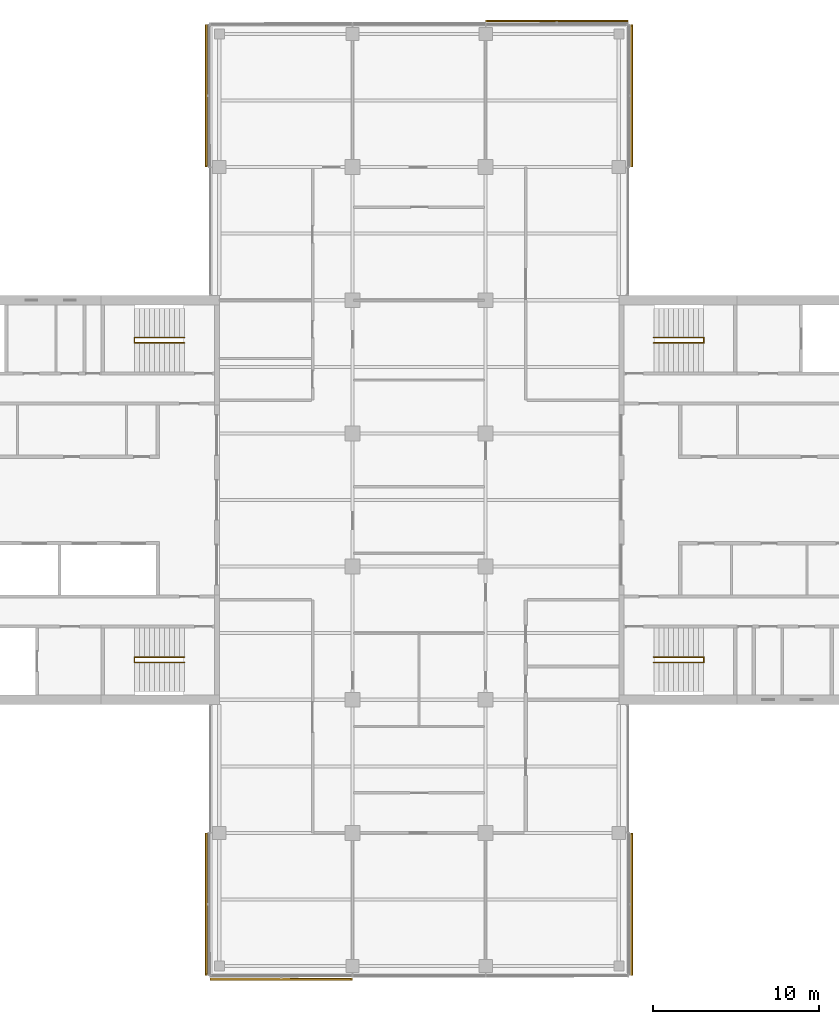
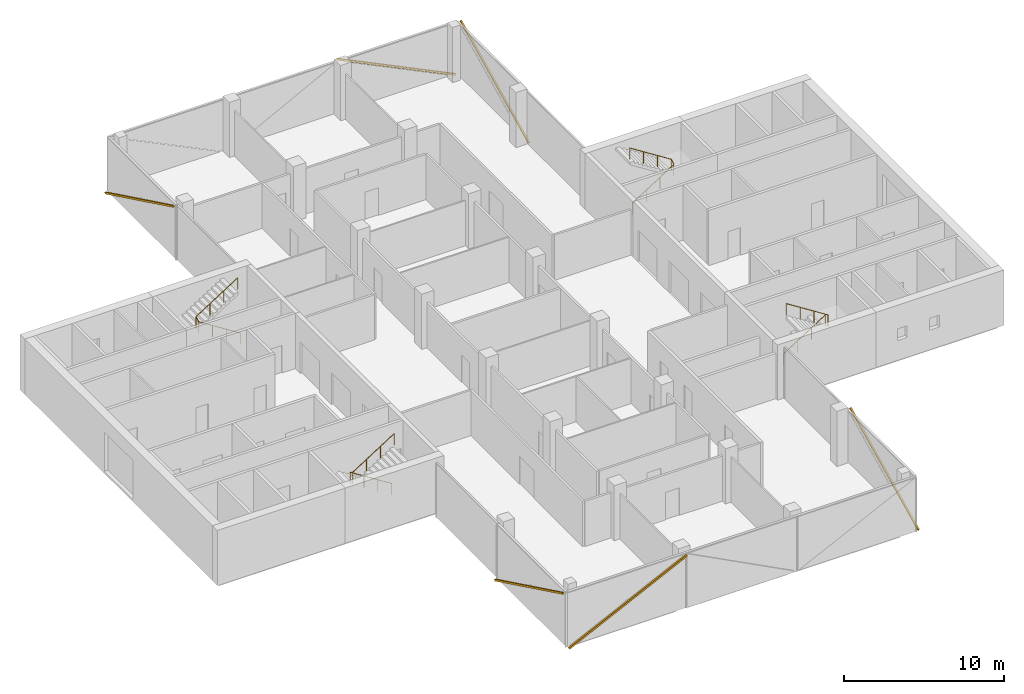
# One storey, part 15 of 15: 6 shading devices, 4 railings, 6 elements without a shape of their own.
"""IFC4 building model written with IfcOpenShell, lengths in metres."""

from ifc_helpers import new_model, si_unit, direction, frame, origin, origin_2d, place, context, subcontext, project, spatial, rectangle, circle, extrude, material, material_profile, profile_set, type_object, element, aggregate, save


model = new_model("IFC4")

# Units and contexts
model_context = context("Model", 3, precision=1e-05, world=origin(), true_north=direction((0.0, 1.0)))
body_context = subcontext(model_context, "Body", "Model", "MODEL_VIEW")
ifc_project = project(units=[si_unit("LENGTHUNIT", "METRE"), si_unit("AREAUNIT", "SQUARE_METRE"), si_unit("VOLUMEUNIT", "CUBIC_METRE"), si_unit("PLANEANGLEUNIT", "RADIAN"), si_unit("MASSUNIT", "GRAM", prefix="KILO")], contexts=[model_context])

# Site, building, storey
site_placement = place(None, origin())
site = spatial("IfcSite", under=ifc_project, at=site_placement, CompositionType="ELEMENT")
building_placement = place(site_placement, origin())
building = spatial("IfcBuilding", under=site, at=building_placement, Name="Crosswind Convention Tower", CompositionType="ELEMENT")
storey_placement = place(building_placement, frame((0.0, 0.0, 183.10009765625)))
storey = spatial("IfcBuildingStorey", under=building, at=storey_placement, Name="L38", CompositionType="ELEMENT", Elevation=183.10009765625)

# Railings
ifc_material_1 = material(Name="Stainless steel", Category="steel")
railing_type = type_object("IfcRailingType", Name="Stair handrail 900", PredefinedType="HANDRAIL", material=ifc_material_1)
railing_1_placement = place(storey_placement, frame((139.10009765625, 109.43994140625, 0.19091796875)))
element("IfcRailing", 1, at=railing_1_placement, inside=storey, type_object=railing_type, Name="Stair ST1 handrail L38", PredefinedType="HANDRAIL", context=body_context, shape_type="SweptSolid", body=[
    extrude(circle(Radius=0.02392578125, at=origin_2d()), frame((0.0, 0.0, 0.8759765625), z_axis=(0.843681277094, 0.0, 0.536844393359), x_axis=(0.0, 1.0, 0.0)), (0.0, 0.0, 1.0), 3.555908203125),
    extrude(circle(Radius=0.02392578125, at=origin_2d()), frame((3.0, 0.0, 2.78466796875), z_axis=(0.0, 0.858819504967, 0.512278301208), x_axis=(-1.0, 0.0, 0.0)), (0.0, 0.0, 1.0), 0.372802734375),
    extrude(circle(Radius=0.02392578125, at=origin_2d()), frame((3.0, 0.320068359375, 2.9755859375), z_axis=(-0.843650179428, 0.0, 0.536893261973), x_axis=(0.0, -1.0, 0.0)), (0.0, 0.0, 1.0), 3.555908203125),
    extrude(circle(Radius=0.02099609375, at=origin_2d()), origin(), (0.0, 0.0, 1.0), 0.851806640625),
    extrude(circle(Radius=0.02099609375, at=origin_2d()), frame((1.0, 0.0, 0.63623046875)), (0.0, 0.0, 1.0), 0.851806640625),
    extrude(circle(Radius=0.02099609375, at=origin_2d()), frame((2.0, 0.0, 1.272705078125)), (0.0, 0.0, 1.0), 0.851806640625),
    extrude(circle(Radius=0.02099609375, at=origin_2d()), frame((3.0, 0.0, 1.908935546875)), (0.0, 0.0, 1.0), 0.851806640625),
    extrude(circle(Radius=0.02099609375, at=origin_2d()), frame((3.0, 0.320068359375, 2.099853515625)), (0.0, 0.0, 1.0), 0.851806640625),
    extrude(circle(Radius=0.02099609375, at=origin_2d()), frame((2.0, 0.320068359375, 2.736328125)), (0.0, 0.0, 1.0), 0.851806640625),
    extrude(circle(Radius=0.02099609375, at=origin_2d()), frame((1.0, 0.320068359375, 3.37255859375)), (0.0, 0.0, 1.0), 0.851806640625),
    extrude(circle(Radius=0.02099609375, at=origin_2d()), frame((0.0, 0.320068359375, 4.009033203125)), (0.0, 0.0, 1.0), 0.851806640625),
])
railing_2_placement = place(storey_placement, frame((139.10009765625, 90.56005859375, 0.19091796875)))
element("IfcRailing", 2, at=railing_2_placement, inside=storey, type_object=railing_type, Name="Stair ST2 handrail L38", PredefinedType="HANDRAIL", context=body_context, shape_type="SweptSolid", body=[
    extrude(circle(Radius=0.02392578125, at=origin_2d()), frame((0.0, 0.0, 0.8759765625), z_axis=(0.843681277094, 0.0, 0.536844393359), x_axis=(0.0, 1.0, 0.0)), (0.0, 0.0, 1.0), 3.555908203125),
    extrude(circle(Radius=0.02392578125, at=origin_2d()), frame((3.0, 0.0, 2.78466796875), z_axis=(0.0, -0.858819504967, 0.512278301208), x_axis=(1.0, 0.0, 0.0)), (0.0, 0.0, 1.0), 0.372802734375),
    extrude(circle(Radius=0.02392578125, at=origin_2d()), frame((3.0, -0.320068359375, 2.9755859375), z_axis=(-0.843650179428, 0.0, 0.536893261973), x_axis=(0.0, -1.0, 0.0)), (0.0, 0.0, 1.0), 3.555908203125),
    extrude(circle(Radius=0.02099609375, at=origin_2d()), origin(), (0.0, 0.0, 1.0), 0.851806640625),
    extrude(circle(Radius=0.02099609375, at=origin_2d()), frame((1.0, 0.0, 0.63623046875)), (0.0, 0.0, 1.0), 0.851806640625),
    extrude(circle(Radius=0.02099609375, at=origin_2d()), frame((2.0, 0.0, 1.272705078125)), (0.0, 0.0, 1.0), 0.851806640625),
    extrude(circle(Radius=0.02099609375, at=origin_2d()), frame((3.0, 0.0, 1.908935546875)), (0.0, 0.0, 1.0), 0.851806640625),
    extrude(circle(Radius=0.02099609375, at=origin_2d()), frame((3.0, -0.320068359375, 2.099853515625)), (0.0, 0.0, 1.0), 0.851806640625),
    extrude(circle(Radius=0.02099609375, at=origin_2d()), frame((2.0, -0.320068359375, 2.736328125)), (0.0, 0.0, 1.0), 0.851806640625),
    extrude(circle(Radius=0.02099609375, at=origin_2d()), frame((1.0, -0.320068359375, 3.37255859375)), (0.0, 0.0, 1.0), 0.851806640625),
    extrude(circle(Radius=0.02099609375, at=origin_2d()), frame((0.0, -0.320068359375, 4.009033203125)), (0.0, 0.0, 1.0), 0.851806640625),
])
railing_3_placement = place(storey_placement, frame((110.89990234375, 90.56005859375, 0.19091796875)))
element("IfcRailing", 3, at=railing_3_placement, inside=storey, type_object=railing_type, Name="Stair ST3 handrail L38", PredefinedType="HANDRAIL", context=body_context, shape_type="SweptSolid", body=[
    extrude(circle(Radius=0.02392578125, at=origin_2d()), frame((0.0, 0.0, 0.8759765625), z_axis=(-0.843681277094, 0.0, 0.536844393359), x_axis=(0.0, -1.0, 0.0)), (0.0, 0.0, 1.0), 3.555908203125),
    extrude(circle(Radius=0.02392578125, at=origin_2d()), frame((-3.0, 0.0, 2.78466796875), z_axis=(0.0, -0.858819504967, 0.512278301208), x_axis=(1.0, 0.0, 0.0)), (0.0, 0.0, 1.0), 0.372802734375),
    extrude(circle(Radius=0.02392578125, at=origin_2d()), frame((-3.0, -0.320068359375, 2.9755859375), z_axis=(0.843650179428, 0.0, 0.536893261973), x_axis=(0.0, 1.0, 0.0)), (0.0, 0.0, 1.0), 3.555908203125),
    extrude(circle(Radius=0.02099609375, at=origin_2d()), origin(), (0.0, 0.0, 1.0), 0.851806640625),
    extrude(circle(Radius=0.02099609375, at=origin_2d()), frame((-1.0, 0.0, 0.63623046875)), (0.0, 0.0, 1.0), 0.851806640625),
    extrude(circle(Radius=0.02099609375, at=origin_2d()), frame((-2.0, 0.0, 1.272705078125)), (0.0, 0.0, 1.0), 0.851806640625),
    extrude(circle(Radius=0.02099609375, at=origin_2d()), frame((-3.0, 0.0, 1.908935546875)), (0.0, 0.0, 1.0), 0.851806640625),
    extrude(circle(Radius=0.02099609375, at=origin_2d()), frame((-3.0, -0.320068359375, 2.099853515625)), (0.0, 0.0, 1.0), 0.851806640625),
    extrude(circle(Radius=0.02099609375, at=origin_2d()), frame((-2.0, -0.320068359375, 2.736328125)), (0.0, 0.0, 1.0), 0.851806640625),
    extrude(circle(Radius=0.02099609375, at=origin_2d()), frame((-1.0, -0.320068359375, 3.37255859375)), (0.0, 0.0, 1.0), 0.851806640625),
    extrude(circle(Radius=0.02099609375, at=origin_2d()), frame((0.0, -0.320068359375, 4.009033203125)), (0.0, 0.0, 1.0), 0.851806640625),
])
railing_4_placement = place(storey_placement, frame((110.89990234375, 109.43994140625, 0.19091796875)))
element("IfcRailing", 4, at=railing_4_placement, inside=storey, type_object=railing_type, Name="Stair ST4 handrail L38", PredefinedType="HANDRAIL", context=body_context, shape_type="SweptSolid", body=[
    extrude(circle(Radius=0.02392578125, at=origin_2d()), frame((0.0, 0.0, 0.8759765625), z_axis=(-0.843681277094, 0.0, 0.536844393359), x_axis=(0.0, -1.0, 0.0)), (0.0, 0.0, 1.0), 3.555908203125),
    extrude(circle(Radius=0.02392578125, at=origin_2d()), frame((-3.0, 0.0, 2.78466796875), z_axis=(0.0, 0.858819504967, 0.512278301208), x_axis=(-1.0, 0.0, 0.0)), (0.0, 0.0, 1.0), 0.372802734375),
    extrude(circle(Radius=0.02392578125, at=origin_2d()), frame((-3.0, 0.320068359375, 2.9755859375), z_axis=(0.843650179428, 0.0, 0.536893261973), x_axis=(0.0, 1.0, 0.0)), (0.0, 0.0, 1.0), 3.555908203125),
    extrude(circle(Radius=0.02099609375, at=origin_2d()), origin(), (0.0, 0.0, 1.0), 0.851806640625),
    extrude(circle(Radius=0.02099609375, at=origin_2d()), frame((-1.0, 0.0, 0.63623046875)), (0.0, 0.0, 1.0), 0.851806640625),
    extrude(circle(Radius=0.02099609375, at=origin_2d()), frame((-2.0, 0.0, 1.272705078125)), (0.0, 0.0, 1.0), 0.851806640625),
    extrude(circle(Radius=0.02099609375, at=origin_2d()), frame((-3.0, 0.0, 1.908935546875)), (0.0, 0.0, 1.0), 0.851806640625),
    extrude(circle(Radius=0.02099609375, at=origin_2d()), frame((-3.0, 0.320068359375, 2.099853515625)), (0.0, 0.0, 1.0), 0.851806640625),
    extrude(circle(Radius=0.02099609375, at=origin_2d()), frame((-2.0, 0.320068359375, 2.736328125)), (0.0, 0.0, 1.0), 0.851806640625),
    extrude(circle(Radius=0.02099609375, at=origin_2d()), frame((-1.0, 0.320068359375, 3.37255859375)), (0.0, 0.0, 1.0), 0.851806640625),
    extrude(circle(Radius=0.02099609375, at=origin_2d()), frame((0.0, 0.320068359375, 4.009033203125)), (0.0, 0.0, 1.0), 0.851806640625),
])

# Curtain wall, shading device
ifc_material_2 = material(Name="Aluminium unitised curtain wall", Category="aluminium")
curtain_wall_type = type_object("IfcCurtainWallType", Name="OFFICE UNITISED WALL 220", PredefinedType="USERDEFINED", material=ifc_material_2)
curtain_wall_1_placement = place(storey_placement, origin())
curtain_wall_1 = element("IfcCurtainWall", 5, at=curtain_wall_1_placement, inside=storey, type_object=curtain_wall_type, Name="CW3 L38 N-E 1", ObjectType="UNITISED", PredefinedType="USERDEFINED")
ifc_material_3 = material(Name="Extruded terracotta", Category="masonry")
ifc_material_profile = material_profile(ifc_material_3, rectangle(XDim=0.110107421875, YDim=0.1298828125, at=origin_2d()), Name="TC 110X130")
ifc_profile_set = profile_set([ifc_material_profile], Name="Extruded terracotta")
shading_device_type = type_object("IfcShadingDeviceType", Name="TERRACOTTA BAGUETTE 130X110", PredefinedType="USERDEFINED", material=ifc_profile_set)
shading_device_1_placement = place(storey_placement, frame((137.781005859375, 120.034912109375, -0.300048828125), z_axis=(0.0, 0.899251034354, 0.437432940248), x_axis=(-1.0, 0.0, 0.0)))
shading_device_1 = element("IfcShadingDevice", 6, at=shading_device_1_placement, type_object=shading_device_type, Name="CW3 terracotta baguette 1", ObjectType="BAGUETTE", PredefinedType="USERDEFINED", context=body_context, shape_type="SweptSolid", body=[
    extrude(rectangle(XDim=0.110107421875, YDim=0.1298828125, at=origin_2d()), origin(), (0.0, 0.0, 1.0), 9.441162109375),
])
aggregate(curtain_wall_1, [shading_device_1])

curtain_wall_2_placement = place(storey_placement, origin())
curtain_wall_2 = element("IfcCurtainWall", 7, at=curtain_wall_2_placement, inside=storey, type_object=curtain_wall_type, Name="CW3 L38 N-TIP 1", ObjectType="UNITISED", PredefinedType="USERDEFINED")
shading_device_2_placement = place(storey_placement, frame((137.52490234375, 128.781005859375, -0.300048828125), z_axis=(-0.899251034354, 0.0, 0.437432940248), x_axis=(0.0, -1.0, 0.0)))
shading_device_2 = element("IfcShadingDevice", 8, at=shading_device_2_placement, type_object=shading_device_type, Name="CW3 terracotta baguette 1", ObjectType="BAGUETTE", PredefinedType="USERDEFINED", context=body_context, shape_type="SweptSolid", body=[
    extrude(rectangle(XDim=0.110107421875, YDim=0.1298828125, at=origin_2d()), origin(), (0.0, 0.0, 1.0), 9.441162109375),
])
aggregate(curtain_wall_2, [shading_device_2])

curtain_wall_3_placement = place(storey_placement, origin())
curtain_wall_3 = element("IfcCurtainWall", 9, at=curtain_wall_3_placement, inside=storey, type_object=curtain_wall_type, Name="CW3 L38 N-W 1", ObjectType="UNITISED", PredefinedType="USERDEFINED")
shading_device_3_placement = place(storey_placement, frame((112.218994140625, 128.52490234375, -0.300048828125), z_axis=(0.0, -0.899251034354, 0.437432940248), x_axis=(1.0, 0.0, 0.0)))
shading_device_3 = element("IfcShadingDevice", 10, at=shading_device_3_placement, type_object=shading_device_type, Name="CW3 terracotta baguette 1", ObjectType="BAGUETTE", PredefinedType="USERDEFINED", context=body_context, shape_type="SweptSolid", body=[
    extrude(rectangle(XDim=0.110107421875, YDim=0.1298828125, at=origin_2d()), origin(), (0.0, 0.0, 1.0), 9.441162109375),
])
aggregate(curtain_wall_3, [shading_device_3])

curtain_wall_4_placement = place(storey_placement, origin())
curtain_wall_4 = element("IfcCurtainWall", 11, at=curtain_wall_4_placement, inside=storey, type_object=curtain_wall_type, Name="CW3 L38 S-W 1", ObjectType="UNITISED", PredefinedType="USERDEFINED")
shading_device_4_placement = place(storey_placement, frame((112.218994140625, 79.965087890625, -0.300048828125), z_axis=(0.0, -0.899251034354, 0.437432940248), x_axis=(1.0, 0.0, 0.0)))
shading_device_4 = element("IfcShadingDevice", 12, at=shading_device_4_placement, type_object=shading_device_type, Name="CW3 terracotta baguette 1", ObjectType="BAGUETTE", PredefinedType="USERDEFINED", context=body_context, shape_type="SweptSolid", body=[
    extrude(rectangle(XDim=0.110107421875, YDim=0.1298828125, at=origin_2d()), origin(), (0.0, 0.0, 1.0), 9.441162109375),
])
aggregate(curtain_wall_4, [shading_device_4])

curtain_wall_5_placement = place(storey_placement, origin())
curtain_wall_5 = element("IfcCurtainWall", 13, at=curtain_wall_5_placement, inside=storey, type_object=curtain_wall_type, Name="CW3 L38 S-TIP 1", ObjectType="UNITISED", PredefinedType="USERDEFINED")
shading_device_5_placement = place(storey_placement, frame((112.47509765625, 71.218994140625, -0.300048828125), z_axis=(0.899251034354, 0.0, 0.437432940248), x_axis=(0.0, 1.0, 0.0)))
shading_device_5 = element("IfcShadingDevice", 14, at=shading_device_5_placement, type_object=shading_device_type, Name="CW3 terracotta baguette 1", ObjectType="BAGUETTE", PredefinedType="USERDEFINED", context=body_context, shape_type="SweptSolid", body=[
    extrude(rectangle(XDim=0.110107421875, YDim=0.1298828125, at=origin_2d()), origin(), (0.0, 0.0, 1.0), 9.441162109375),
])
aggregate(curtain_wall_5, [shading_device_5])

curtain_wall_6_placement = place(storey_placement, origin())
curtain_wall_6 = element("IfcCurtainWall", 15, at=curtain_wall_6_placement, inside=storey, type_object=curtain_wall_type, Name="CW3 L38 S-E 1", ObjectType="UNITISED", PredefinedType="USERDEFINED")
shading_device_6_placement = place(storey_placement, frame((137.781005859375, 71.47509765625, -0.300048828125), z_axis=(0.0, 0.899251034354, 0.437432940248), x_axis=(-1.0, 0.0, 0.0)))
shading_device_6 = element("IfcShadingDevice", 16, at=shading_device_6_placement, type_object=shading_device_type, Name="CW3 terracotta baguette 1", ObjectType="BAGUETTE", PredefinedType="USERDEFINED", context=body_context, shape_type="SweptSolid", body=[
    extrude(rectangle(XDim=0.110107421875, YDim=0.1298828125, at=origin_2d()), origin(), (0.0, 0.0, 1.0), 9.441162109375),
])
aggregate(curtain_wall_6, [shading_device_6])

save(model, "model.ifc")
